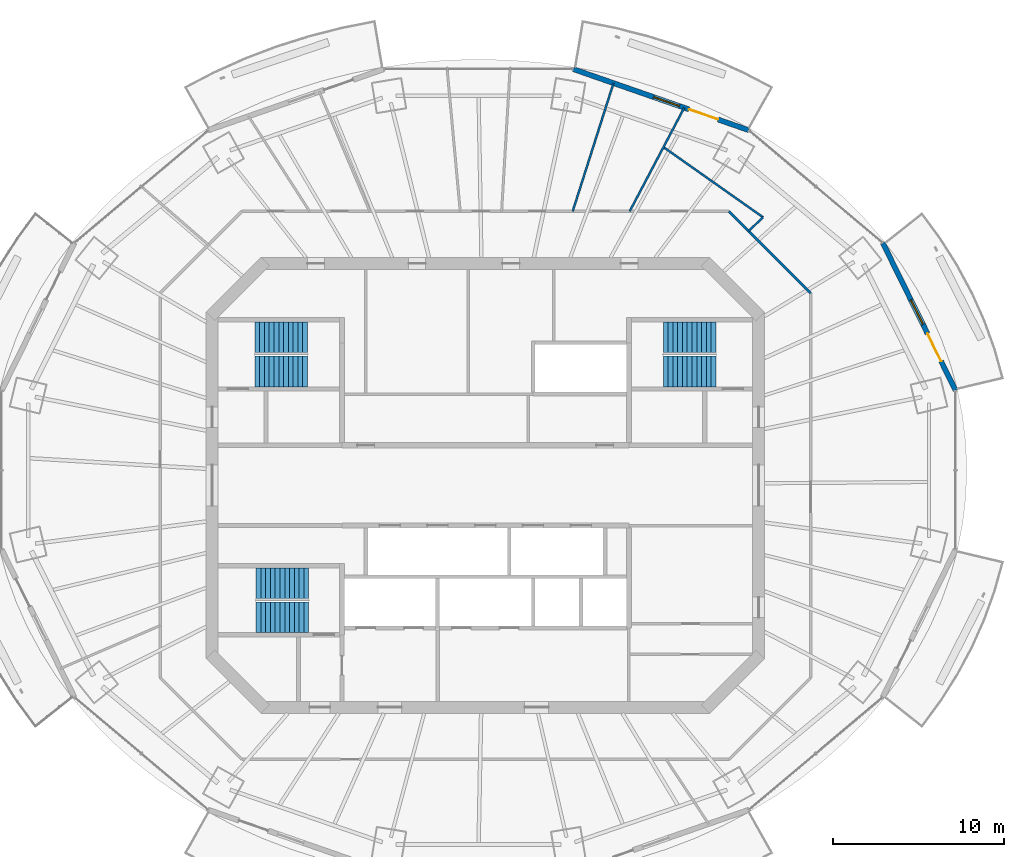
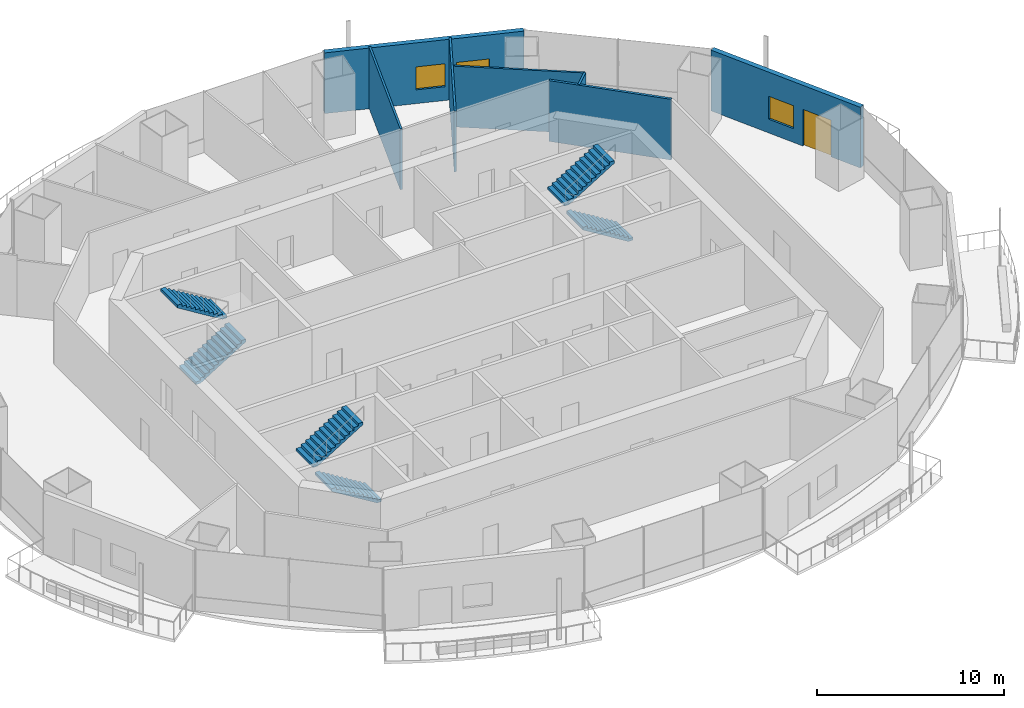
# One storey, part 11 of 16: 7 walls, 6 stair flights, 2 doors, 2 windows, 4 openings, 3 elements without a shape of their own.
"""IFC4 building model written with IfcOpenShell, lengths in metres."""

import ifcopenshell
import ifcopenshell.guid

model = None  # the IFC model being written
_history = None  # IfcOwnerHistory: only IFC2X3 demands one
_inside = {}  # id of a spatial element -> (the spatial element, [elements in it])
_under = {}  # id of a project, library or spatial element -> (it, [spatial elements below it])
_declared = {}  # id of a project -> (the project, [libraries it declares])
_typed = {}  # id of a type object -> (the type object, [elements of that type])
_made_of = {}  # id of a material, layer set ... -> (it, [elements and type objects made of it])


def new_model(schema):
    """Start an empty IFC model of exactly this schema.

    Asked for "IFC4X3", IfcOpenShell would pick the latest addendum, in which some entities
    have other attributes; the version numbers below select the first issue.
    IFC2X3 requires an IfcOwnerHistory on every rooted entity: one is made here for all.
    """
    global model, _history
    if schema == "IFC4X3":
        model = ifcopenshell.file(schema_version=(4, 3, 0, 0))
    else:
        model = ifcopenshell.file(schema=schema)
    _inside.clear()
    _under.clear()
    _declared.clear()
    _typed.clear()
    _made_of.clear()
    _history = None
    if model.schema == "IFC2X3":
        org = make("IfcOrganization", Name="unknown")
        user = make(
            "IfcPersonAndOrganization",
            ThePerson=make("IfcPerson", FamilyName="unknown"),
            TheOrganization=org,
        )
        app = make(
            "IfcApplication",
            ApplicationDeveloper=org,
            Version="unknown",
            ApplicationFullName="unknown",
            ApplicationIdentifier="unknown",
        )
        _history = make(
            "IfcOwnerHistory",
            OwningUser=user,
            OwningApplication=app,
            ChangeAction="ADDED",
            CreationDate=0,
        )
    return model


def make(cls, **values):
    """One entity of the class cls with the attributes given. An attribute that is None is left unset."""
    return model.create_entity(
        cls, **{name: value for name, value in values.items() if value is not None}
    )


def rooted(cls, **values):
    """An entity with a GlobalId (a new one), such as an element, a storey or a relation."""
    return make(cls, GlobalId=ifcopenshell.guid.new(), OwnerHistory=_history, **values)


def si_unit(unit_type, name, prefix=None):
    """IfcSIUnit, for example si_unit("LENGTHUNIT", "METRE", prefix="MILLI")."""
    return make("IfcSIUnit", UnitType=unit_type, Prefix=prefix, Name=name)


def assignment(units):
    """IfcUnitAssignment: the units of a project."""
    return None if units is None else make("IfcUnitAssignment", Units=units)


def point(xyz):
    """IfcCartesianPoint."""
    return None if xyz is None else make("IfcCartesianPoint", Coordinates=xyz)


def direction(xyz):
    """IfcDirection."""
    return None if xyz is None else make("IfcDirection", DirectionRatios=xyz)


def frame(location, z_axis=None, x_axis=None):
    """IfcAxis2Placement3D, a coordinate frame: its origin and axes. An axis left out is left unset."""
    return make(
        "IfcAxis2Placement3D",
        Location=point(location),
        Axis=direction(z_axis),
        RefDirection=direction(x_axis),
    )


def frame_2d(location, x_axis=None):
    """IfcAxis2Placement2D, a coordinate frame in the plane: its origin and x axis."""
    return make(
        "IfcAxis2Placement2D", Location=point(location), RefDirection=direction(x_axis)
    )


def origin():
    """The frame at (0, 0, 0) with its axes left unset."""
    return frame((0.0, 0.0, 0.0))


def place(relative_to, where):
    """IfcLocalPlacement: puts the frame where relative to a parent placement (None: the world)."""
    return make(
        "IfcLocalPlacement", PlacementRelTo=relative_to, RelativePlacement=where
    )


def context(
    kind, dimensions, precision=None, world=None, true_north=None, identifier=None
):
    """IfcGeometricRepresentationContext, for example the 3D "Model" context."""
    return make(
        "IfcGeometricRepresentationContext",
        ContextIdentifier=identifier,
        ContextType=kind,
        CoordinateSpaceDimension=dimensions,
        Precision=precision,
        WorldCoordinateSystem=world,
        TrueNorth=true_north,
    )


def subcontext(parent, identifier, kind, view, scale=None):
    """IfcGeometricRepresentationSubContext, for example "Body" below "Model"."""
    return make(
        "IfcGeometricRepresentationSubContext",
        ContextIdentifier=identifier,
        ContextType=kind,
        ParentContext=parent,
        TargetScale=scale,
        TargetView=view,
    )


def project(units=None, contexts=None):
    """IfcProject with its units and contexts."""
    return rooted(
        "IfcProject",
        Name="project",
        RepresentationContexts=contexts,
        UnitsInContext=assignment(units),
    )


def spatial(cls, under=None, at=None, **own):
    """A site, building, storey or space (cls), placed at a placement, below another one or the project."""
    s = rooted(cls, ObjectPlacement=at, **own)
    if under is not None:
        _under.setdefault(under.id(), (under, []))[1].append(s)
    return s


def polyline(points):
    """IfcPolyline through the points."""
    return make("IfcPolyline", Points=[point(p) for p in points])


def profile(cls, at=None, kind="AREA", **sizes):
    """A parametric profile (cls). Its sizes go by their IFC names, for example OverallWidth=200.0."""
    return make(cls, ProfileType=kind, Position=at, **sizes)


def rectangle(**sizes):
    """IfcRectangleProfileDef."""
    return profile("IfcRectangleProfileDef", **sizes)


def outline(outer, holes=None, kind="AREA"):
    """IfcArbitraryClosedProfileDef: a profile drawn as a closed curve; with holes, ...WithVoids."""
    if holes is None:
        return make("IfcArbitraryClosedProfileDef", ProfileType=kind, OuterCurve=outer)
    return make(
        "IfcArbitraryProfileDefWithVoids",
        ProfileType=kind,
        OuterCurve=outer,
        InnerCurves=holes,
    )


def extrude(swept, where, along, depth):
    """IfcExtrudedAreaSolid: the profile swept, set in the frame where, extruded along a direction by depth."""
    return make(
        "IfcExtrudedAreaSolid",
        SweptArea=swept,
        Position=where,
        ExtrudedDirection=direction(along),
        Depth=depth,
    )


def shape(context_of_items, identifier, shape_type, items):
    """IfcShapeRepresentation: the items that make up one representation, for example the "Body"."""
    return make(
        "IfcShapeRepresentation",
        ContextOfItems=context_of_items,
        RepresentationIdentifier=identifier,
        RepresentationType=shape_type,
        Items=items,
    )


def material(Name=None, Category=None):
    """IfcMaterial."""
    return make("IfcMaterial", Name=Name, Category=Category)


def layer(
    of_material, thickness, ventilated=None, Name=None, Category=None, Priority=None
):
    """IfcMaterialLayer: one layer of a wall or slab, of a material (None: an air gap)."""
    return make(
        "IfcMaterialLayer",
        Material=of_material,
        LayerThickness=thickness,
        IsVentilated=ventilated,
        Name=Name,
        Category=Category,
        Priority=Priority,
    )


def layer_set(layers, Name=None):
    """IfcMaterialLayerSet."""
    return make("IfcMaterialLayerSet", MaterialLayers=layers, LayerSetName=Name)


def made_of(thing, what):
    """Note that an element or type object is made of a material, layer set ...; save() writes the relation."""
    if what is not None:
        _made_of.setdefault(what.id(), (what, []))[1].append(thing)
    return thing


def type_object(cls, material=None, **own):
    """A type object (cls), such as IfcWallType, which elements share."""
    return made_of(rooted(cls, **own), material)


def element(
    cls,
    number,
    at=None,
    inside=None,
    cuts=None,
    type_object=None,
    material=None,
    context=None,
    identifier="Body",
    shape_type=None,
    held_by="IfcProductDefinitionShape",
    body=None,
    shapes=None,
    **own,
):
    """One element of the class cls, such as IfcWall. Its Tag is "e" and its number.

    at: its placement. inside: the storey or other place that contains it. cuts: it is an
    opening in that element (IfcRelVoidsElement). A single representation is given by context,
    identifier, shape_type and body (its items); several are given by shapes. held_by: the class
    of the entity that holds the representations. save() writes the other relations.
    """
    e = rooted(cls, Tag="e%d" % number, ObjectPlacement=at, **own)
    if body is not None:
        shapes = [shape(context, identifier, shape_type, body)]
    if shapes is not None:
        e.Representation = make(held_by, Representations=shapes)
    if inside is not None:
        _inside.setdefault(inside.id(), (inside, []))[1].append(e)
    if cuts is not None:
        rooted(
            "IfcRelVoidsElement", RelatingBuildingElement=cuts, RelatedOpeningElement=e
        )
    if type_object is not None:
        _typed.setdefault(type_object.id(), (type_object, []))[1].append(e)
    return made_of(e, material)


def fill(opening, filler):
    """IfcRelFillsElement: the door or window that sits in an opening."""
    return rooted(
        "IfcRelFillsElement",
        RelatingOpeningElement=opening,
        RelatedBuildingElement=filler,
    )


def aggregate(whole, parts):
    """IfcRelAggregates: a whole, such as a stair, and the parts it consists of."""
    return rooted("IfcRelAggregates", RelatingObject=whole, RelatedObjects=parts)


def save(model, path):
    """Write the relations noted so far, then the file.

    IfcRelAggregates (storeys below a building ...), IfcRelContainedInSpatialStructure (elements
    in a storey), IfcRelDefinesByType, IfcRelAssociatesMaterial and IfcRelDeclares: one each for
    every whole, place, type object, material and project.
    """
    for whole, parts in _under.values():
        aggregate(whole, parts)
    for where, things in _inside.values():
        rooted(
            "IfcRelContainedInSpatialStructure",
            RelatedElements=things,
            RelatingStructure=where,
        )
    for kind, things in _typed.values():
        rooted("IfcRelDefinesByType", RelatedObjects=things, RelatingType=kind)
    for what, things in _made_of.values():
        rooted("IfcRelAssociatesMaterial", RelatedObjects=things, RelatingMaterial=what)
    for by, libraries in _declared.values():
        rooted("IfcRelDeclares", RelatingContext=by, RelatedDefinitions=libraries)
    model.write(path)


model = new_model("IFC4")

# Units and contexts
model_context = context("Model", 3, precision=1e-05, world=origin(), true_north=direction((0.0, 1.0)))
body_context = subcontext(model_context, "Body", "Model", "MODEL_VIEW")
ifc_project = project(units=[si_unit("LENGTHUNIT", "METRE"), si_unit("AREAUNIT", "SQUARE_METRE"), si_unit("VOLUMEUNIT", "CUBIC_METRE"), si_unit("PLANEANGLEUNIT", "RADIAN"), si_unit("MASSUNIT", "GRAM", prefix="KILO")], contexts=[model_context])

# Site, building, storey
site_placement = place(None, origin())
site = spatial("IfcSite", under=ifc_project, at=site_placement, CompositionType="ELEMENT")
building_placement = place(site_placement, origin())
building = spatial("IfcBuilding", under=site, at=building_placement, Name="Marenthal Gate Tower", CompositionType="ELEMENT")
storey_placement = place(building_placement, frame((0.0, 0.0, 305.25)))
storey = spatial("IfcBuildingStorey", under=building, at=storey_placement, Name="L68", CompositionType="ELEMENT", Elevation=305.25)

# Walls
ifc_material_1 = material(Name="Gypsum board on steel studs", Category="steel")
ifc_layer_1 = layer(ifc_material_1, 0.1201171875)
ifc_layer_set_1 = layer_set([ifc_layer_1], Name="Partition 120")
wall_type_1 = type_object("IfcWallType", Name="Partition 120", PredefinedType="PARTITIONING", material=ifc_layer_set_1)
wall_1_placement = place(storey_placement, frame((5.1103515625, 16.050048828125, 0.0), z_axis=(0.0, 0.0, 1.0), x_axis=(0.303413314571, 0.952859045474, 0.0)))
element("IfcWall", 1, at=wall_1_placement, inside=storey, type_object=wall_type_1, Name="Partition wall 62", PredefinedType="PARTITIONING", context=body_context, shape_type="SweptSolid", body=[
    extrude(rectangle(XDim=7.88232421875, YDim=0.1201171875, at=frame_2d((3.941162109375, 0.0))), origin(), (0.0, 0.0, 1.0), 3.969970703125),
])
wall_2_placement = place(storey_placement, frame((8.4482421875, 16.050048828125, 0.0), z_axis=(0.0, 0.0, 1.0), x_axis=(0.465797782517, 0.88489119433, 0.0)))
element("IfcWall", 2, at=wall_2_placement, inside=storey, type_object=wall_type_1, Name="Partition wall 63", PredefinedType="PARTITIONING", context=body_context, shape_type="SweptSolid", body=[
    extrude(rectangle(XDim=6.8583984375, YDim=0.1201171875, at=frame_2d((3.42919921875, 0.0))), origin(), (0.0, 0.0, 1.0), 3.969970703125),
])
wall_3_placement = place(storey_placement, frame((16.2578125, 15.7060546875, 0.0), z_axis=(0.0, 0.0, 1.0), x_axis=(-0.817482799525, 0.57595301239, 0.0)))
element("IfcWall", 3, at=wall_3_placement, inside=storey, type_object=wall_type_1, Name="Partition wall 67", PredefinedType="PARTITIONING", context=body_context, shape_type="SweptSolid", body=[
    extrude(rectangle(XDim=7.13037109375, YDim=0.1201171875, at=frame_2d((3.565185546875, 0.0))), origin(), (0.0, 0.0, 1.0), 3.969970703125),
])
wall_4_placement = place(storey_placement, frame((16.2578125, 15.7060546875, 0.0), z_axis=(0.0, 0.0, 1.0), x_axis=(-0.719134696688, -0.694870698778, 0.0)))
element("IfcWall", 4, at=wall_4_placement, inside=storey, type_object=wall_type_1, Name="Partition wall 68", PredefinedType="PARTITIONING", context=body_context, shape_type="SweptSolid", body=[
    extrude(rectangle(XDim=1.167236328125, YDim=0.1201171875, at=frame_2d((0.58349609375, 0.0))), origin(), (0.0, 0.0, 1.0), 3.969970703125),
])
ifc_material_2 = material(Name="Gypsum board on steel studs", Category="steel")
ifc_layer_2 = layer(ifc_material_2, 0.14990234375)
ifc_layer_set_2 = layer_set([ifc_layer_2], Name="Partition 150")
wall_type_2 = type_object("IfcWallType", Name="Partition 150", PredefinedType="PARTITIONING", material=ifc_layer_set_2)
wall_5_placement = place(storey_placement, frame((14.263427734375, 16.050048828125, 0.0), z_axis=(0.0, 0.0, 1.0), x_axis=(0.707106781187, -0.707106781187, 0.0)))
element("IfcWall", 5, at=wall_5_placement, inside=storey, type_object=wall_type_2, Name="Partition wall 66", PredefinedType="PARTITIONING", context=body_context, shape_type="SweptSolid", body=[
    extrude(rectangle(XDim=6.769287109375, YDim=0.14990234375, at=frame_2d((3.384765625, 0.0))), origin(), (0.0, 0.0, 1.0), 3.969970703125),
])

# Wall, openings, door, window
ifc_material_3 = material(Name="Terracotta cladding on insulated concrete-block backing", Category="masonry")
ifc_layer_3 = layer(ifc_material_3, 0.300048828125)
ifc_layer_set_3 = layer_set([ifc_layer_3], Name="Terracotta facade wall 300")
wall_type_3 = type_object("IfcWallType", Name="Terracotta facade wall 300", PredefinedType="SOLIDWALL", material=ifc_layer_set_3)
wall_6_placement = place(storey_placement, frame((27.52880859375, 5.570068359375, 0.0), z_axis=(0.0, 0.0, 1.0), x_axis=(-0.441998272381, 0.897015901315, 0.0)))
wall_6 = element("IfcWall", 6, at=wall_6_placement, inside=storey, type_object=wall_type_3, Name="Terracotta facade wall L68 bay 1", PredefinedType="SOLIDWALL", context=body_context, shape_type="SweptSolid", body=[
    extrude(rectangle(XDim=9.619873046875, YDim=0.300048828125, at=frame_2d((4.81005859375, 0.0))), origin(), (0.0, 0.0, 1.0), 3.969970703125),
])
opening_1_placement = place(wall_6_placement, frame((1.89990234375, 0.0, 0.0)))
opening_1 = element("IfcOpeningElement", 7, at=opening_1_placement, cuts=wall_6, Name="Opening BD-L68-01", PredefinedType="OPENING", context=body_context, shape_type="SweptSolid", body=[
    extrude(rectangle(XDim=1.800048828125, YDim=2.39990234375, at=frame_2d((0.89990234375, 1.199951171875))), frame((0.0, 0.16015625, 0.0), z_axis=(0.0, -1.0, 0.0), x_axis=(1.0, 0.0, 0.0)), (0.0, 0.0, 1.0), 0.320068359375),
])
opening_2_placement = place(wall_6_placement, frame((4.300048828125, 0.0, 0.89990234375)))
opening_2 = element("IfcOpeningElement", 8, at=opening_2_placement, cuts=wall_6, Name="Opening WN3-L68-01", PredefinedType="OPENING", context=body_context, shape_type="SweptSolid", body=[
    extrude(rectangle(XDim=1.60009765625, YDim=1.5, at=frame_2d((0.800048828125, 0.75))), frame((0.0, 0.16015625, 0.0), z_axis=(0.0, -1.0, 0.0), x_axis=(1.0, 0.0, 0.0)), (0.0, 0.0, 1.0), 0.320068359375),
])
ifc_material_4 = material(Name="Aluminium and glass", Category="aluminium")
door_type = type_object("IfcDoorType", Name="Balcony door 1800x2400", OperationType="DOUBLE_DOOR_SINGLE_SWING", PredefinedType="DOOR", material=ifc_material_4)
door_1_placement = place(opening_1_placement, origin())
door_1 = element("IfcDoor", 9, at=door_1_placement, inside=storey, type_object=door_type, Name="Balcony door L68 bay 1", OperationType="SINGLE_SWING_LEFT", OverallHeight=2.39990234375, OverallWidth=1.800048828125, PredefinedType="DOOR", context=body_context, shape_type="SweptSolid", body=[
    extrude(rectangle(XDim=1.800048828125, YDim=2.39990234375, at=frame_2d((0.89990234375, 1.199951171875))), frame((0.0, 0.02490234375, 0.0), z_axis=(0.0, -1.0, 0.0), x_axis=(1.0, 0.0, 0.0)), (0.0, 0.0, 1.0), 0.050048828125),
])
fill(opening_1, door_1)
ifc_material_5 = material(Name="Aluminium and glass", Category="aluminium")
window_type = type_object("IfcWindowType", Name="Window 1600x1500", PartitioningType="DOUBLE_PANEL_VERTICAL", PredefinedType="WINDOW", material=ifc_material_5)
window_1_placement = place(opening_2_placement, origin())
window_1 = element("IfcWindow", 10, at=window_1_placement, inside=storey, type_object=window_type, Name="Window L68 bay 1", OverallHeight=1.5, OverallWidth=1.60009765625, PartitioningType="SINGLE_PANEL", PredefinedType="WINDOW", context=body_context, shape_type="SweptSolid", body=[
    extrude(rectangle(XDim=1.60009765625, YDim=1.5, at=frame_2d((0.800048828125, 0.75))), frame((0.0, 0.030029296875, 0.0), z_axis=(0.0, -1.0, 0.0), x_axis=(1.0, 0.0, 0.0)), (0.0, 0.0, 1.0), 0.06005859375),
])
fill(opening_2, window_1)

wall_7_placement = place(storey_placement, frame((15.42041015625, 20.8037109375, 0.0), z_axis=(0.0, 0.0, 1.0), x_axis=(-0.944390086162, 0.328827257323, 0.0)))
wall_7 = element("IfcWall", 11, at=wall_7_placement, inside=storey, type_object=wall_type_3, Name="Terracotta facade wall L68 bay 3", PredefinedType="SOLIDWALL", context=body_context, shape_type="SweptSolid", body=[
    extrude(rectangle(XDim=10.86962890625, YDim=0.300048828125, at=frame_2d((5.434814453125, 0.0))), origin(), (0.0, 0.0, 1.0), 3.969970703125),
])
opening_3_placement = place(wall_7_placement, frame((1.89990234375, 0.0, 0.0)))
opening_3 = element("IfcOpeningElement", 12, at=opening_3_placement, cuts=wall_7, Name="Opening BD-L68-03", PredefinedType="OPENING", context=body_context, shape_type="SweptSolid", body=[
    extrude(rectangle(XDim=1.800048828125, YDim=2.39990234375, at=frame_2d((0.89990234375, 1.199951171875))), frame((0.0, 0.16015625, 0.0), z_axis=(0.0, -1.0, 0.0), x_axis=(1.0, 0.0, 0.0)), (0.0, 0.0, 1.0), 0.320068359375),
])
opening_4_placement = place(wall_7_placement, frame((4.300048828125, 0.0, 0.89990234375)))
opening_4 = element("IfcOpeningElement", 13, at=opening_4_placement, cuts=wall_7, Name="Opening WN3-L68-03", PredefinedType="OPENING", context=body_context, shape_type="SweptSolid", body=[
    extrude(rectangle(XDim=1.60009765625, YDim=1.5, at=frame_2d((0.800048828125, 0.75))), frame((0.0, 0.16015625, 0.0), z_axis=(0.0, -1.0, 0.0), x_axis=(1.0, 0.0, 0.0)), (0.0, 0.0, 1.0), 0.320068359375),
])
door_2_placement = place(opening_3_placement, origin())
door_2 = element("IfcDoor", 14, at=door_2_placement, inside=storey, type_object=door_type, Name="Balcony door L68 bay 3", OperationType="SINGLE_SWING_LEFT", OverallHeight=2.39990234375, OverallWidth=1.800048828125, PredefinedType="DOOR", context=body_context, shape_type="SweptSolid", body=[
    extrude(rectangle(XDim=1.800048828125, YDim=2.39990234375, at=frame_2d((0.89990234375, 1.199951171875))), frame((0.0, 0.02490234375, 0.0), z_axis=(0.0, -1.0, 0.0), x_axis=(1.0, 0.0, 0.0)), (0.0, 0.0, 1.0), 0.050048828125),
])
fill(opening_3, door_2)
window_2_placement = place(opening_4_placement, origin())
window_2 = element("IfcWindow", 15, at=window_2_placement, inside=storey, type_object=window_type, Name="Window L68 bay 3", OverallHeight=1.5, OverallWidth=1.60009765625, PartitioningType="SINGLE_PANEL", PredefinedType="WINDOW", context=body_context, shape_type="SweptSolid", body=[
    extrude(rectangle(XDim=1.60009765625, YDim=1.5, at=frame_2d((0.800048828125, 0.75))), frame((0.0, 0.030029296875, 0.0), z_axis=(0.0, -1.0, 0.0), x_axis=(1.0, 0.0, 0.0)), (0.0, 0.0, 1.0), 0.06005859375),
])
fill(opening_4, window_2)

# Stair, stair flights
ifc_material_6 = material(Name="Concrete 40 MPa", Category="concrete")
stair_type = type_object("IfcStairType", Name="Exit stair 1800", PredefinedType="HALF_TURN_STAIR", material=ifc_material_6)
stair_1_placement = place(storey_placement, origin())
stair_1 = element("IfcStair", 16, at=stair_1_placement, inside=storey, type_object=stair_type, Name="Stair ST1", PredefinedType="HALF_TURN_STAIR")
ifc_material_7 = material(Name="Concrete 40 MPa", Category="concrete")
stair_flight_type = type_object("IfcStairFlightType", Name="Stair flight 1800", PredefinedType="STRAIGHT", material=ifc_material_7)
stair_flight_1_placement = place(storey_placement, frame((-13.5, 6.675048828125, 0.0), z_axis=(0.0, 0.0, 1.0), x_axis=(1.0, 0.0, 0.0)))
stair_flight_1 = element("IfcStairFlight", 17, at=stair_flight_1_placement, type_object=stair_flight_type, Name="ST1 flight 1", NumberOfRisers=12, NumberOfTreads=11, PredefinedType="STRAIGHT", RiserHeight=0.172916667, TreadLength=0.28, context=body_context, shape_type="SweptSolid", body=[
    extrude(outline(polyline([(0.0, 0.0), (0.0, 0.1728515625), (0.280029296875, 0.1728515625), (0.280029296875, 0.345947265625), (0.56005859375, 0.345947265625), (0.56005859375, 0.518798828125), (0.840087890625, 0.518798828125), (0.840087890625, 0.691650390625), (1.1201171875, 0.691650390625), (1.1201171875, 0.864501953125), (1.39990234375, 0.864501953125), (1.39990234375, 1.03759765625), (1.679931640625, 1.03759765625), (1.679931640625, 1.21044921875), (1.9599609375, 1.21044921875), (1.9599609375, 1.38330078125), (2.239990234375, 1.38330078125), (2.239990234375, 1.55615234375), (2.52001953125, 1.55615234375), (2.52001953125, 1.729248046875), (2.800048828125, 1.729248046875), (2.800048828125, 1.902099609375), (3.080078125, 1.902099609375), (3.080078125, 2.074951171875), (3.080078125, 1.725830078125), (0.285400390625, 0.0), (0.0, 0.0)])), frame((0.0, 0.89990234375, 0.0), z_axis=(0.0, -1.0, 0.0), x_axis=(1.0, 0.0, 0.0)), (0.0, 0.0, 1.0), 1.800048828125),
])
stair_flight_2_placement = place(storey_placement, frame((-10.419921875, 8.675048828125, 2.074951171875), z_axis=(0.0, 0.0, 1.0), x_axis=(-1.0, 0.0, 0.0)))
stair_flight_2 = element("IfcStairFlight", 18, at=stair_flight_2_placement, type_object=stair_flight_type, Name="ST1 flight 2", NumberOfRisers=12, NumberOfTreads=11, PredefinedType="STRAIGHT", RiserHeight=0.172916667, TreadLength=0.28, context=body_context, shape_type="SweptSolid", body=[
    extrude(outline(polyline([(0.0, 0.0), (0.0, 0.1728515625), (0.280029296875, 0.1728515625), (0.280029296875, 0.345947265625), (0.56005859375, 0.345947265625), (0.56005859375, 0.518798828125), (0.840087890625, 0.518798828125), (0.840087890625, 0.691650390625), (1.1201171875, 0.691650390625), (1.1201171875, 0.864501953125), (1.39990234375, 0.864501953125), (1.39990234375, 1.03759765625), (1.679931640625, 1.03759765625), (1.679931640625, 1.21044921875), (1.9599609375, 1.21044921875), (1.9599609375, 1.38330078125), (2.239990234375, 1.38330078125), (2.239990234375, 1.55615234375), (2.52001953125, 1.55615234375), (2.52001953125, 1.729248046875), (2.800048828125, 1.729248046875), (2.800048828125, 1.902099609375), (3.080078125, 1.902099609375), (3.080078125, 2.074951171875), (3.080078125, 1.725830078125), (0.285400390625, 0.0), (0.0, 0.0)])), frame((0.0, 0.89990234375, 0.0), z_axis=(0.0, -1.0, 0.0), x_axis=(1.0, 0.0, 0.0)), (0.0, 0.0, 1.0), 1.800048828125),
])
aggregate(stair_1, [stair_flight_1, stair_flight_2])

stair_2_placement = place(storey_placement, origin())
stair_2 = element("IfcStair", 19, at=stair_2_placement, inside=storey, type_object=stair_type, Name="Stair ST2", PredefinedType="HALF_TURN_STAIR")
stair_flight_3_placement = place(storey_placement, frame((-10.35009765625, -7.72509765625, 0.0), z_axis=(0.0, 0.0, 1.0), x_axis=(-1.0, 0.0, 0.0)))
stair_flight_3 = element("IfcStairFlight", 20, at=stair_flight_3_placement, type_object=stair_flight_type, Name="ST2 flight 1", NumberOfRisers=12, NumberOfTreads=11, PredefinedType="STRAIGHT", RiserHeight=0.172916667, TreadLength=0.28, context=body_context, shape_type="SweptSolid", body=[
    extrude(outline(polyline([(0.0, 0.0), (0.0, 0.1728515625), (0.280029296875, 0.1728515625), (0.280029296875, 0.345947265625), (0.56005859375, 0.345947265625), (0.56005859375, 0.518798828125), (0.840087890625, 0.518798828125), (0.840087890625, 0.691650390625), (1.1201171875, 0.691650390625), (1.1201171875, 0.864501953125), (1.39990234375, 0.864501953125), (1.39990234375, 1.03759765625), (1.679931640625, 1.03759765625), (1.679931640625, 1.21044921875), (1.9599609375, 1.21044921875), (1.9599609375, 1.38330078125), (2.239990234375, 1.38330078125), (2.239990234375, 1.55615234375), (2.52001953125, 1.55615234375), (2.52001953125, 1.729248046875), (2.800048828125, 1.729248046875), (2.800048828125, 1.902099609375), (3.080078125, 1.902099609375), (3.080078125, 2.074951171875), (3.080078125, 1.725830078125), (0.285400390625, 0.0), (0.0, 0.0)])), frame((0.0, 0.89990234375, 0.0), z_axis=(0.0, -1.0, 0.0), x_axis=(1.0, 0.0, 0.0)), (0.0, 0.0, 1.0), 1.800048828125),
])
stair_flight_4_placement = place(storey_placement, frame((-13.429931640625, -5.72509765625, 2.074951171875), z_axis=(0.0, 0.0, 1.0), x_axis=(1.0, 0.0, 0.0)))
stair_flight_4 = element("IfcStairFlight", 21, at=stair_flight_4_placement, type_object=stair_flight_type, Name="ST2 flight 2", NumberOfRisers=12, NumberOfTreads=11, PredefinedType="STRAIGHT", RiserHeight=0.172916667, TreadLength=0.28, context=body_context, shape_type="SweptSolid", body=[
    extrude(outline(polyline([(0.0, 0.0), (0.0, 0.1728515625), (0.280029296875, 0.1728515625), (0.280029296875, 0.345947265625), (0.56005859375, 0.345947265625), (0.56005859375, 0.518798828125), (0.840087890625, 0.518798828125), (0.840087890625, 0.691650390625), (1.1201171875, 0.691650390625), (1.1201171875, 0.864501953125), (1.39990234375, 0.864501953125), (1.39990234375, 1.03759765625), (1.679931640625, 1.03759765625), (1.679931640625, 1.21044921875), (1.9599609375, 1.21044921875), (1.9599609375, 1.38330078125), (2.239990234375, 1.38330078125), (2.239990234375, 1.55615234375), (2.52001953125, 1.55615234375), (2.52001953125, 1.729248046875), (2.800048828125, 1.729248046875), (2.800048828125, 1.902099609375), (3.080078125, 1.902099609375), (3.080078125, 2.074951171875), (3.080078125, 1.725830078125), (0.285400390625, 0.0), (0.0, 0.0)])), frame((0.0, 0.89990234375, 0.0), z_axis=(0.0, -1.0, 0.0), x_axis=(1.0, 0.0, 0.0)), (0.0, 0.0, 1.0), 1.800048828125),
])
aggregate(stair_2, [stair_flight_3, stair_flight_4])

stair_3_placement = place(storey_placement, origin())
stair_3 = element("IfcStair", 22, at=stair_3_placement, inside=storey, type_object=stair_type, Name="Stair ST3", PredefinedType="HALF_TURN_STAIR")
stair_flight_5_placement = place(storey_placement, frame((13.5, 6.675048828125, 0.0), z_axis=(0.0, 0.0, 1.0), x_axis=(-1.0, 0.0, 0.0)))
stair_flight_5 = element("IfcStairFlight", 23, at=stair_flight_5_placement, type_object=stair_flight_type, Name="ST3 flight 1", NumberOfRisers=12, NumberOfTreads=11, PredefinedType="STRAIGHT", RiserHeight=0.172916667, TreadLength=0.28, context=body_context, shape_type="SweptSolid", body=[
    extrude(outline(polyline([(0.0, 0.0), (0.0, 0.1728515625), (0.280029296875, 0.1728515625), (0.280029296875, 0.345947265625), (0.56005859375, 0.345947265625), (0.56005859375, 0.518798828125), (0.840087890625, 0.518798828125), (0.840087890625, 0.691650390625), (1.1201171875, 0.691650390625), (1.1201171875, 0.864501953125), (1.39990234375, 0.864501953125), (1.39990234375, 1.03759765625), (1.679931640625, 1.03759765625), (1.679931640625, 1.21044921875), (1.9599609375, 1.21044921875), (1.9599609375, 1.38330078125), (2.239990234375, 1.38330078125), (2.239990234375, 1.55615234375), (2.52001953125, 1.55615234375), (2.52001953125, 1.729248046875), (2.800048828125, 1.729248046875), (2.800048828125, 1.902099609375), (3.080078125, 1.902099609375), (3.080078125, 2.074951171875), (3.080078125, 1.725830078125), (0.285400390625, 0.0), (0.0, 0.0)])), frame((0.0, 0.89990234375, 0.0), z_axis=(0.0, -1.0, 0.0), x_axis=(1.0, 0.0, 0.0)), (0.0, 0.0, 1.0), 1.800048828125),
])
stair_flight_6_placement = place(storey_placement, frame((10.419921875, 8.675048828125, 2.074951171875), z_axis=(0.0, 0.0, 1.0), x_axis=(1.0, 0.0, 0.0)))
stair_flight_6 = element("IfcStairFlight", 24, at=stair_flight_6_placement, type_object=stair_flight_type, Name="ST3 flight 2", NumberOfRisers=12, NumberOfTreads=11, PredefinedType="STRAIGHT", RiserHeight=0.172916667, TreadLength=0.28, context=body_context, shape_type="SweptSolid", body=[
    extrude(outline(polyline([(0.0, 0.0), (0.0, 0.1728515625), (0.280029296875, 0.1728515625), (0.280029296875, 0.345947265625), (0.56005859375, 0.345947265625), (0.56005859375, 0.518798828125), (0.840087890625, 0.518798828125), (0.840087890625, 0.691650390625), (1.1201171875, 0.691650390625), (1.1201171875, 0.864501953125), (1.39990234375, 0.864501953125), (1.39990234375, 1.03759765625), (1.679931640625, 1.03759765625), (1.679931640625, 1.21044921875), (1.9599609375, 1.21044921875), (1.9599609375, 1.38330078125), (2.239990234375, 1.38330078125), (2.239990234375, 1.55615234375), (2.52001953125, 1.55615234375), (2.52001953125, 1.729248046875), (2.800048828125, 1.729248046875), (2.800048828125, 1.902099609375), (3.080078125, 1.902099609375), (3.080078125, 2.074951171875), (3.080078125, 1.725830078125), (0.285400390625, 0.0), (0.0, 0.0)])), frame((0.0, 0.89990234375, 0.0), z_axis=(0.0, -1.0, 0.0), x_axis=(1.0, 0.0, 0.0)), (0.0, 0.0, 1.0), 1.800048828125),
])
aggregate(stair_3, [stair_flight_5, stair_flight_6])

save(model, "model.ifc")
